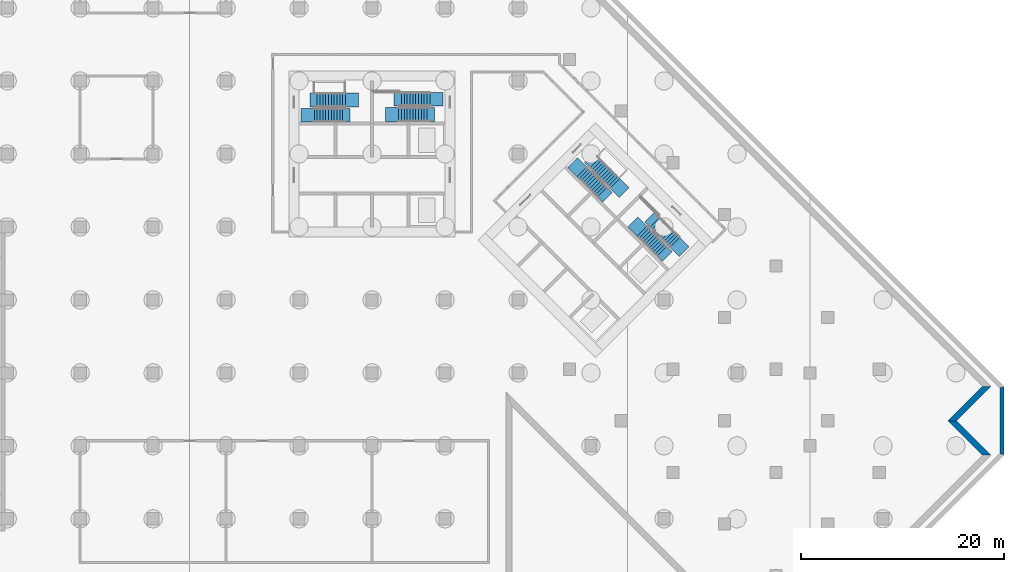
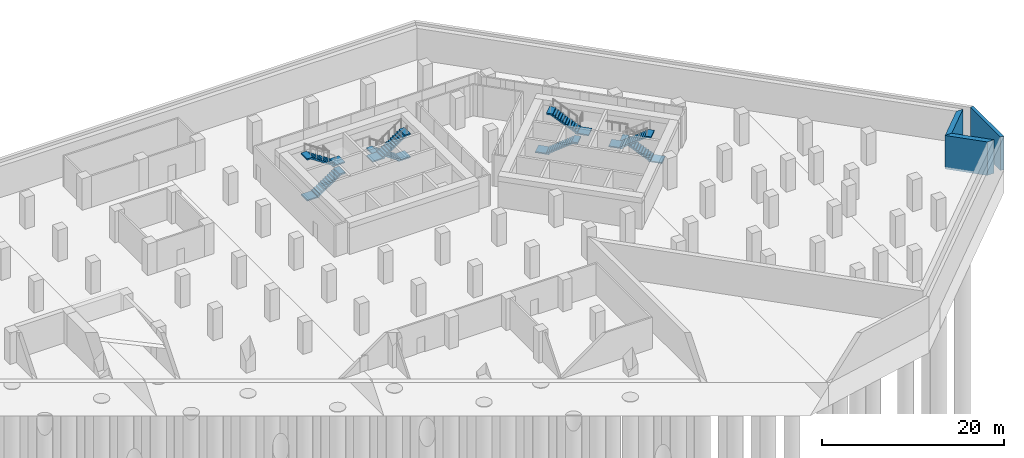
# One storey, part 10 of 12: 8 stair flights, 3 walls, 4 elements without a shape of their own.
"""IFC4 building model written with IfcOpenShell, lengths in metres."""

import ifcopenshell
import ifcopenshell.guid

model = None  # the IFC model being written
_history = None  # IfcOwnerHistory: only IFC2X3 demands one
_inside = {}  # id of a spatial element -> (the spatial element, [elements in it])
_under = {}  # id of a project, library or spatial element -> (it, [spatial elements below it])
_declared = {}  # id of a project -> (the project, [libraries it declares])
_typed = {}  # id of a type object -> (the type object, [elements of that type])
_made_of = {}  # id of a material, layer set ... -> (it, [elements and type objects made of it])


def new_model(schema):
    """Start an empty IFC model of exactly this schema.

    Asked for "IFC4X3", IfcOpenShell would pick the latest addendum, in which some entities
    have other attributes; the version numbers below select the first issue.
    IFC2X3 requires an IfcOwnerHistory on every rooted entity: one is made here for all.
    """
    global model, _history
    if schema == "IFC4X3":
        model = ifcopenshell.file(schema_version=(4, 3, 0, 0))
    else:
        model = ifcopenshell.file(schema=schema)
    _inside.clear()
    _under.clear()
    _declared.clear()
    _typed.clear()
    _made_of.clear()
    _history = None
    if model.schema == "IFC2X3":
        org = make("IfcOrganization", Name="unknown")
        user = make(
            "IfcPersonAndOrganization",
            ThePerson=make("IfcPerson", FamilyName="unknown"),
            TheOrganization=org,
        )
        app = make(
            "IfcApplication",
            ApplicationDeveloper=org,
            Version="unknown",
            ApplicationFullName="unknown",
            ApplicationIdentifier="unknown",
        )
        _history = make(
            "IfcOwnerHistory",
            OwningUser=user,
            OwningApplication=app,
            ChangeAction="ADDED",
            CreationDate=0,
        )
    return model


def make(cls, **values):
    """One entity of the class cls with the attributes given. An attribute that is None is left unset."""
    return model.create_entity(
        cls, **{name: value for name, value in values.items() if value is not None}
    )


def rooted(cls, **values):
    """An entity with a GlobalId (a new one), such as an element, a storey or a relation."""
    return make(cls, GlobalId=ifcopenshell.guid.new(), OwnerHistory=_history, **values)


def si_unit(unit_type, name, prefix=None):
    """IfcSIUnit, for example si_unit("LENGTHUNIT", "METRE", prefix="MILLI")."""
    return make("IfcSIUnit", UnitType=unit_type, Prefix=prefix, Name=name)


def assignment(units):
    """IfcUnitAssignment: the units of a project."""
    return None if units is None else make("IfcUnitAssignment", Units=units)


def point(xyz):
    """IfcCartesianPoint."""
    return None if xyz is None else make("IfcCartesianPoint", Coordinates=xyz)


def direction(xyz):
    """IfcDirection."""
    return None if xyz is None else make("IfcDirection", DirectionRatios=xyz)


def frame(location, z_axis=None, x_axis=None):
    """IfcAxis2Placement3D, a coordinate frame: its origin and axes. An axis left out is left unset."""
    return make(
        "IfcAxis2Placement3D",
        Location=point(location),
        Axis=direction(z_axis),
        RefDirection=direction(x_axis),
    )


def origin():
    """The frame at (0, 0, 0) with its axes left unset."""
    return frame((0.0, 0.0, 0.0))


def place(relative_to, where):
    """IfcLocalPlacement: puts the frame where relative to a parent placement (None: the world)."""
    return make(
        "IfcLocalPlacement", PlacementRelTo=relative_to, RelativePlacement=where
    )


def context(
    kind, dimensions, precision=None, world=None, true_north=None, identifier=None
):
    """IfcGeometricRepresentationContext, for example the 3D "Model" context."""
    return make(
        "IfcGeometricRepresentationContext",
        ContextIdentifier=identifier,
        ContextType=kind,
        CoordinateSpaceDimension=dimensions,
        Precision=precision,
        WorldCoordinateSystem=world,
        TrueNorth=true_north,
    )


def subcontext(parent, identifier, kind, view, scale=None):
    """IfcGeometricRepresentationSubContext, for example "Body" below "Model"."""
    return make(
        "IfcGeometricRepresentationSubContext",
        ContextIdentifier=identifier,
        ContextType=kind,
        ParentContext=parent,
        TargetScale=scale,
        TargetView=view,
    )


def project(units=None, contexts=None):
    """IfcProject with its units and contexts."""
    return rooted(
        "IfcProject",
        Name="project",
        RepresentationContexts=contexts,
        UnitsInContext=assignment(units),
    )


def spatial(cls, under=None, at=None, **own):
    """A site, building, storey or space (cls), placed at a placement, below another one or the project."""
    s = rooted(cls, ObjectPlacement=at, **own)
    if under is not None:
        _under.setdefault(under.id(), (under, []))[1].append(s)
    return s


def polyline(points):
    """IfcPolyline through the points."""
    return make("IfcPolyline", Points=[point(p) for p in points])


def outline(outer, holes=None, kind="AREA"):
    """IfcArbitraryClosedProfileDef: a profile drawn as a closed curve; with holes, ...WithVoids."""
    if holes is None:
        return make("IfcArbitraryClosedProfileDef", ProfileType=kind, OuterCurve=outer)
    return make(
        "IfcArbitraryProfileDefWithVoids",
        ProfileType=kind,
        OuterCurve=outer,
        InnerCurves=holes,
    )


def extrude(swept, where, along, depth):
    """IfcExtrudedAreaSolid: the profile swept, set in the frame where, extruded along a direction by depth."""
    return make(
        "IfcExtrudedAreaSolid",
        SweptArea=swept,
        Position=where,
        ExtrudedDirection=direction(along),
        Depth=depth,
    )


def shape(context_of_items, identifier, shape_type, items):
    """IfcShapeRepresentation: the items that make up one representation, for example the "Body"."""
    return make(
        "IfcShapeRepresentation",
        ContextOfItems=context_of_items,
        RepresentationIdentifier=identifier,
        RepresentationType=shape_type,
        Items=items,
    )


def material(Name=None, Category=None):
    """IfcMaterial."""
    return make("IfcMaterial", Name=Name, Category=Category)


def layer(
    of_material, thickness, ventilated=None, Name=None, Category=None, Priority=None
):
    """IfcMaterialLayer: one layer of a wall or slab, of a material (None: an air gap)."""
    return make(
        "IfcMaterialLayer",
        Material=of_material,
        LayerThickness=thickness,
        IsVentilated=ventilated,
        Name=Name,
        Category=Category,
        Priority=Priority,
    )


def layer_set(layers, Name=None):
    """IfcMaterialLayerSet."""
    return make("IfcMaterialLayerSet", MaterialLayers=layers, LayerSetName=Name)


def made_of(thing, what):
    """Note that an element or type object is made of a material, layer set ...; save() writes the relation."""
    if what is not None:
        _made_of.setdefault(what.id(), (what, []))[1].append(thing)
    return thing


def type_object(cls, material=None, **own):
    """A type object (cls), such as IfcWallType, which elements share."""
    return made_of(rooted(cls, **own), material)


def element(
    cls,
    number,
    at=None,
    inside=None,
    cuts=None,
    type_object=None,
    material=None,
    context=None,
    identifier="Body",
    shape_type=None,
    held_by="IfcProductDefinitionShape",
    body=None,
    shapes=None,
    **own,
):
    """One element of the class cls, such as IfcWall. Its Tag is "e" and its number.

    at: its placement. inside: the storey or other place that contains it. cuts: it is an
    opening in that element (IfcRelVoidsElement). A single representation is given by context,
    identifier, shape_type and body (its items); several are given by shapes. held_by: the class
    of the entity that holds the representations. save() writes the other relations.
    """
    e = rooted(cls, Tag="e%d" % number, ObjectPlacement=at, **own)
    if body is not None:
        shapes = [shape(context, identifier, shape_type, body)]
    if shapes is not None:
        e.Representation = make(held_by, Representations=shapes)
    if inside is not None:
        _inside.setdefault(inside.id(), (inside, []))[1].append(e)
    if cuts is not None:
        rooted(
            "IfcRelVoidsElement", RelatingBuildingElement=cuts, RelatedOpeningElement=e
        )
    if type_object is not None:
        _typed.setdefault(type_object.id(), (type_object, []))[1].append(e)
    return made_of(e, material)


def aggregate(whole, parts):
    """IfcRelAggregates: a whole, such as a stair, and the parts it consists of."""
    return rooted("IfcRelAggregates", RelatingObject=whole, RelatedObjects=parts)


def save(model, path):
    """Write the relations noted so far, then the file.

    IfcRelAggregates (storeys below a building ...), IfcRelContainedInSpatialStructure (elements
    in a storey), IfcRelDefinesByType, IfcRelAssociatesMaterial and IfcRelDeclares: one each for
    every whole, place, type object, material and project.
    """
    for whole, parts in _under.values():
        aggregate(whole, parts)
    for where, things in _inside.values():
        rooted(
            "IfcRelContainedInSpatialStructure",
            RelatedElements=things,
            RelatingStructure=where,
        )
    for kind, things in _typed.values():
        rooted("IfcRelDefinesByType", RelatedObjects=things, RelatingType=kind)
    for what, things in _made_of.values():
        rooted("IfcRelAssociatesMaterial", RelatedObjects=things, RelatingMaterial=what)
    for by, libraries in _declared.values():
        rooted("IfcRelDeclares", RelatingContext=by, RelatedDefinitions=libraries)
    model.write(path)


model = new_model("IFC4")

# Units and contexts
model_context = context("Model", 3, precision=1e-05, world=origin(), true_north=direction((0.0, 1.0)))
body_context = subcontext(model_context, "Body", "Model", "MODEL_VIEW")
ifc_project = project(units=[si_unit("LENGTHUNIT", "METRE"), si_unit("AREAUNIT", "SQUARE_METRE"), si_unit("VOLUMEUNIT", "CUBIC_METRE"), si_unit("PLANEANGLEUNIT", "RADIAN"), si_unit("MASSUNIT", "GRAM", prefix="KILO")], contexts=[model_context])

# Site, building, storey
site_placement = place(None, origin())
site = spatial("IfcSite", under=ifc_project, at=site_placement, CompositionType="ELEMENT")
building_placement = place(site_placement, origin())
building = spatial("IfcBuilding", under=site, at=building_placement, Name="Windrow Commons", CompositionType="ELEMENT")
storey_placement = place(building_placement, frame((0.0, 0.0, -9.0)))
storey = spatial("IfcBuildingStorey", under=building, at=storey_placement, Name="B2", CompositionType="ELEMENT", Elevation=-9.0)

# Walls
ifc_material_1 = material(Name="Concrete C40/50", Category="concrete")
ifc_layer_1 = layer(ifc_material_1, 0.4)
ifc_layer_set_1 = layer_set([ifc_layer_1], Name="RC RETAINING WALL 400 C40/50")
wall_type_1 = type_object("IfcWallType", Name="RC RETAINING WALL 400 C40/50", PredefinedType="SOLIDWALL", material=ifc_layer_set_1)
wall_1_placement = place(storey_placement, frame((126.9418, 34.5819, -0.3), z_axis=(0.0, 0.0, 1.0), x_axis=(0.0, -1.0, 0.0)))
element("IfcWall", 1, at=wall_1_placement, inside=storey, type_object=wall_type_1, Name="Retaining wall raft edge B2-007", PredefinedType="SOLIDWALL", context=body_context, shape_type="SweptSolid", body=[
    extrude(outline(polyline([(0.0414, -0.2), (6.5811, -0.2), (6.664, 0.2), (-0.0414, 0.2), (0.0414, -0.2)])), origin(), (0.0, 0.0, 1.0), 4.5),
])
ifc_material_2 = material(Name="Concrete C40/50", Category="concrete")
ifc_layer_2 = layer(ifc_material_2, 0.6)
ifc_layer_set_2 = layer_set([ifc_layer_2], Name="RC RETAINING WALL 600 C40/50")
wall_type_2 = type_object("IfcWallType", Name="RC RETAINING WALL 600 C40/50", PredefinedType="SOLIDWALL", material=ifc_layer_set_2)
placement_1 = place(storey_placement, frame((0.0, 0.0, -0.3)))
element("IfcWall", 2, at=placement_1, inside=storey, type_object=wall_type_2, Name="Retaining wall B2-07", PredefinedType="SOLIDWALL", context=body_context, shape_type="SweptSolid", body=[
    extrude(outline(polyline([(125.0205, 27.8765), (121.6264, 31.2706), (122.4749, 31.2706), (125.869, 27.8765), (125.0205, 27.8765)])), origin(), (0.0, 0.0, 1.0), 4.5),
])
element("IfcWall", 3, at=placement_1, inside=storey, type_object=wall_type_2, Name="Retaining wall B2-08", PredefinedType="SOLIDWALL", context=body_context, shape_type="SweptSolid", body=[
    extrude(outline(polyline([(121.6264, 31.2706), (125.0205, 34.6648), (125.869, 34.6648), (122.4749, 31.2706), (121.6264, 31.2706)])), origin(), (0.0, 0.0, 1.0), 4.5),
])

# Stair, stair flights
ifc_material_3 = material(Name="Concrete C40/50", Category="concrete")
stair_type = type_object("IfcStairType", Name="Core stair", PredefinedType="HALF_TURN_STAIR", material=ifc_material_3)
placement_2 = place(storey_placement, origin())
stair_1 = element("IfcStair", 4, at=placement_2, inside=storey, type_object=stair_type, Name="B2 Exit stair A1 core A", PredefinedType="HALF_TURN_STAIR")
ifc_material_4 = material(Name="Concrete C40/50", Category="concrete")
stair_flight_type = type_object("IfcStairFlightType", Name="Core stair flight", PredefinedType="STRAIGHT", material=ifc_material_4)
stair_flight_1_placement = place(storey_placement, frame((59.1, 61.425, 0.0), z_axis=(0.0, 0.0, 1.0), x_axis=(1.0, 0.0, 0.0)))
stair_flight_1 = element("IfcStairFlight", 5, at=stair_flight_1_placement, type_object=stair_flight_type, Name="ST-A1 flight 1", NumberOfRisers=12, NumberOfTreads=11, PredefinedType="STRAIGHT", RiserHeight=0.1875, TreadLength=0.28, context=body_context, shape_type="SweptSolid", body=[
    extrude(outline(polyline([(-1.3, -0.15), (-1.3, 0.0), (0.0, 0.0), (0.0, 0.1875), (0.28, 0.1875), (0.28, 0.375), (0.56, 0.375), (0.56, 0.5625), (0.84, 0.5625), (0.84, 0.75), (1.12, 0.75), (1.12, 0.9375), (1.4, 0.9375), (1.4, 1.125), (1.68, 1.125), (1.68, 1.3125), (1.96, 1.3125), (1.96, 1.5), (2.24, 1.5), (2.24, 1.6875), (2.52, 1.6875), (2.52, 1.875), (2.8, 1.875), (2.8, 2.0625), (3.08, 2.0625), (3.53, 2.0625), (3.53, 1.8625), (3.08, 1.8625), (3.08, 1.882), (0.2696, 0.0), (0.2696, -0.15), (-1.3, -0.15)])), frame((0.0, 0.675, 0.0), z_axis=(0.0, -1.0, 0.0), x_axis=(1.0, 0.0, 0.0)), (0.0, 0.0, 1.0), 1.35),
])
stair_flight_2_placement = place(storey_placement, frame((62.18, 62.925, 2.25), z_axis=(0.0, 0.0, 1.0), x_axis=(-1.0, 0.0, 0.0)))
stair_flight_2 = element("IfcStairFlight", 6, at=stair_flight_2_placement, type_object=stair_flight_type, Name="ST-A1 flight 2", NumberOfRisers=12, NumberOfTreads=11, PredefinedType="STRAIGHT", RiserHeight=0.1875, TreadLength=0.28, context=body_context, shape_type="SweptSolid", body=[
    extrude(outline(polyline([(-1.3, -0.15), (-1.3, 0.0), (0.0, 0.0), (0.0, 0.1875), (0.28, 0.1875), (0.28, 0.375), (0.56, 0.375), (0.56, 0.5625), (0.84, 0.5625), (0.84, 0.75), (1.12, 0.75), (1.12, 0.9375), (1.4, 0.9375), (1.4, 1.125), (1.68, 1.125), (1.68, 1.3125), (1.96, 1.3125), (1.96, 1.5), (2.24, 1.5), (2.24, 1.6875), (2.52, 1.6875), (2.52, 1.875), (2.8, 1.875), (2.8, 2.0625), (3.08, 2.0625), (3.53, 2.0625), (3.53, 1.8625), (3.08, 1.8625), (3.08, 1.882), (0.2696, 0.0), (0.2696, -0.15), (-1.3, -0.15)])), frame((0.0, 0.675, 0.0), z_axis=(0.0, -1.0, 0.0), x_axis=(1.0, 0.0, 0.0)), (0.0, 0.0, 1.0), 1.35),
])
aggregate(stair_1, [stair_flight_1, stair_flight_2])

stair_2 = element("IfcStair", 7, at=placement_2, inside=storey, type_object=stair_type, Name="B2 Exit stair A2 core A", PredefinedType="HALF_TURN_STAIR")
stair_flight_3_placement = place(storey_placement, frame((70.5, 62.98, 0.0), z_axis=(0.0, 0.0, 1.0), x_axis=(-1.0, 0.0, 0.0)))
stair_flight_3 = element("IfcStairFlight", 8, at=stair_flight_3_placement, type_object=stair_flight_type, Name="ST-A2 flight 1", NumberOfRisers=12, NumberOfTreads=11, PredefinedType="STRAIGHT", RiserHeight=0.1875, TreadLength=0.28, context=body_context, shape_type="SweptSolid", body=[
    extrude(outline(polyline([(-1.3, -0.15), (-1.3, 0.0), (0.0, 0.0), (0.0, 0.1875), (0.28, 0.1875), (0.28, 0.375), (0.56, 0.375), (0.56, 0.5625), (0.84, 0.5625), (0.84, 0.75), (1.12, 0.75), (1.12, 0.9375), (1.4, 0.9375), (1.4, 1.125), (1.68, 1.125), (1.68, 1.3125), (1.96, 1.3125), (1.96, 1.5), (2.24, 1.5), (2.24, 1.6875), (2.52, 1.6875), (2.52, 1.875), (2.8, 1.875), (2.8, 2.0625), (3.08, 2.0625), (3.53, 2.0625), (3.53, 1.8625), (3.08, 1.8625), (3.08, 1.882), (0.2696, 0.0), (0.2696, -0.15), (-1.3, -0.15)])), frame((0.0, 0.675, 0.0), z_axis=(0.0, -1.0, 0.0), x_axis=(1.0, 0.0, 0.0)), (0.0, 0.0, 1.0), 1.35),
])
stair_flight_4_placement = place(storey_placement, frame((67.42, 61.48, 2.25), z_axis=(0.0, 0.0, 1.0), x_axis=(1.0, 0.0, 0.0)))
stair_flight_4 = element("IfcStairFlight", 9, at=stair_flight_4_placement, type_object=stair_flight_type, Name="ST-A2 flight 2", NumberOfRisers=12, NumberOfTreads=11, PredefinedType="STRAIGHT", RiserHeight=0.1875, TreadLength=0.28, context=body_context, shape_type="SweptSolid", body=[
    extrude(outline(polyline([(-1.3, -0.15), (-1.3, 0.0), (0.0, 0.0), (0.0, 0.1875), (0.28, 0.1875), (0.28, 0.375), (0.56, 0.375), (0.56, 0.5625), (0.84, 0.5625), (0.84, 0.75), (1.12, 0.75), (1.12, 0.9375), (1.4, 0.9375), (1.4, 1.125), (1.68, 1.125), (1.68, 1.3125), (1.96, 1.3125), (1.96, 1.5), (2.24, 1.5), (2.24, 1.6875), (2.52, 1.6875), (2.52, 1.875), (2.8, 1.875), (2.8, 2.0625), (3.08, 2.0625), (3.53, 2.0625), (3.53, 1.8625), (3.08, 1.8625), (3.08, 1.882), (0.2696, 0.0), (0.2696, -0.15), (-1.3, -0.15)])), frame((0.0, 0.675, 0.0), z_axis=(0.0, -1.0, 0.0), x_axis=(1.0, 0.0, 0.0)), (0.0, 0.0, 1.0), 1.35),
])
aggregate(stair_2, [stair_flight_3, stair_flight_4])

stair_3 = element("IfcStair", 10, at=placement_2, inside=storey, type_object=stair_type, Name="B2 Exit stair B1 core B", PredefinedType="HALF_TURN_STAIR")
stair_flight_5_placement = place(storey_placement, frame((85.5109, 55.8249, 0.0), z_axis=(0.0, 0.0, 1.0), x_axis=(0.7071067812, -0.7071067812, 0.0)))
stair_flight_5 = element("IfcStairFlight", 11, at=stair_flight_5_placement, type_object=stair_flight_type, Name="ST-B1 flight 1", NumberOfRisers=12, NumberOfTreads=11, PredefinedType="STRAIGHT", RiserHeight=0.1875, TreadLength=0.28, context=body_context, shape_type="SweptSolid", body=[
    extrude(outline(polyline([(-1.3, -0.15), (-1.3, 0.0), (0.0, 0.0), (0.0, 0.1875), (0.28, 0.1875), (0.28, 0.375), (0.56, 0.375), (0.56, 0.5625), (0.84, 0.5625), (0.84, 0.75), (1.12, 0.75), (1.12, 0.9375), (1.4, 0.9375), (1.4, 1.125), (1.68, 1.125), (1.68, 1.3125), (1.96, 1.3125), (1.96, 1.5), (2.24, 1.5), (2.24, 1.6875), (2.52, 1.6875), (2.52, 1.875), (2.8, 1.875), (2.8, 2.0625), (3.08, 2.0625), (3.53, 2.0625), (3.53, 1.8625), (3.08, 1.8625), (3.08, 1.882), (0.2696, 0.0), (0.2696, -0.15), (-1.3, -0.15)])), frame((0.0, 0.675, 0.0), z_axis=(0.0, -1.0, 0.0), x_axis=(1.0, 0.0, 0.0)), (0.0, 0.0, 1.0), 1.35),
])
stair_flight_6_placement = place(storey_placement, frame((88.7495, 54.7077, 2.25), z_axis=(0.0, 0.0, 1.0), x_axis=(-0.7071067812, 0.7071067812, 0.0)))
stair_flight_6 = element("IfcStairFlight", 12, at=stair_flight_6_placement, type_object=stair_flight_type, Name="ST-B1 flight 2", NumberOfRisers=12, NumberOfTreads=11, PredefinedType="STRAIGHT", RiserHeight=0.1875, TreadLength=0.28, context=body_context, shape_type="SweptSolid", body=[
    extrude(outline(polyline([(-1.3, -0.15), (-1.3, 0.0), (0.0, 0.0), (0.0, 0.1875), (0.28, 0.1875), (0.28, 0.375), (0.56, 0.375), (0.56, 0.5625), (0.84, 0.5625), (0.84, 0.75), (1.12, 0.75), (1.12, 0.9375), (1.4, 0.9375), (1.4, 1.125), (1.68, 1.125), (1.68, 1.3125), (1.96, 1.3125), (1.96, 1.5), (2.24, 1.5), (2.24, 1.6875), (2.52, 1.6875), (2.52, 1.875), (2.8, 1.875), (2.8, 2.0625), (3.08, 2.0625), (3.53, 2.0625), (3.53, 1.8625), (3.08, 1.8625), (3.08, 1.882), (0.2696, 0.0), (0.2696, -0.15), (-1.3, -0.15)])), frame((0.0, 0.675, 0.0), z_axis=(0.0, -1.0, 0.0), x_axis=(1.0, 0.0, 0.0)), (0.0, 0.0, 1.0), 1.35),
])
aggregate(stair_3, [stair_flight_5, stair_flight_6])

stair_4 = element("IfcStair", 13, at=placement_2, inside=storey, type_object=stair_type, Name="B2 Exit stair B2 core B", PredefinedType="HALF_TURN_STAIR")
stair_flight_7_placement = place(storey_placement, frame((94.6715, 48.8635, 0.0), z_axis=(0.0, 0.0, 1.0), x_axis=(-0.7071067812, 0.7071067812, 0.0)))
stair_flight_7 = element("IfcStairFlight", 14, at=stair_flight_7_placement, type_object=stair_flight_type, Name="ST-B2 flight 1", NumberOfRisers=12, NumberOfTreads=11, PredefinedType="STRAIGHT", RiserHeight=0.1875, TreadLength=0.28, context=body_context, shape_type="SweptSolid", body=[
    extrude(outline(polyline([(-1.3, -0.15), (-1.3, 0.0), (0.0, 0.0), (0.0, 0.1875), (0.28, 0.1875), (0.28, 0.375), (0.56, 0.375), (0.56, 0.5625), (0.84, 0.5625), (0.84, 0.75), (1.12, 0.75), (1.12, 0.9375), (1.4, 0.9375), (1.4, 1.125), (1.68, 1.125), (1.68, 1.3125), (1.96, 1.3125), (1.96, 1.5), (2.24, 1.5), (2.24, 1.6875), (2.52, 1.6875), (2.52, 1.875), (2.8, 1.875), (2.8, 2.0625), (3.08, 2.0625), (3.53, 2.0625), (3.53, 1.8625), (3.08, 1.8625), (3.08, 1.882), (0.2696, 0.0), (0.2696, -0.15), (-1.3, -0.15)])), frame((0.0, 0.675, 0.0), z_axis=(0.0, -1.0, 0.0), x_axis=(1.0, 0.0, 0.0)), (0.0, 0.0, 1.0), 1.35),
])
stair_flight_8_placement = place(storey_placement, frame((91.4329, 49.9807, 2.25), z_axis=(0.0, 0.0, 1.0), x_axis=(0.7071067812, -0.7071067812, 0.0)))
stair_flight_8 = element("IfcStairFlight", 15, at=stair_flight_8_placement, type_object=stair_flight_type, Name="ST-B2 flight 2", NumberOfRisers=12, NumberOfTreads=11, PredefinedType="STRAIGHT", RiserHeight=0.1875, TreadLength=0.28, context=body_context, shape_type="SweptSolid", body=[
    extrude(outline(polyline([(-1.3, -0.15), (-1.3, 0.0), (0.0, 0.0), (0.0, 0.1875), (0.28, 0.1875), (0.28, 0.375), (0.56, 0.375), (0.56, 0.5625), (0.84, 0.5625), (0.84, 0.75), (1.12, 0.75), (1.12, 0.9375), (1.4, 0.9375), (1.4, 1.125), (1.68, 1.125), (1.68, 1.3125), (1.96, 1.3125), (1.96, 1.5), (2.24, 1.5), (2.24, 1.6875), (2.52, 1.6875), (2.52, 1.875), (2.8, 1.875), (2.8, 2.0625), (3.08, 2.0625), (3.53, 2.0625), (3.53, 1.8625), (3.08, 1.8625), (3.08, 1.882), (0.2696, 0.0), (0.2696, -0.15), (-1.3, -0.15)])), frame((0.0, 0.675, 0.0), z_axis=(0.0, -1.0, 0.0), x_axis=(1.0, 0.0, 0.0)), (0.0, 0.0, 1.0), 1.35),
])
aggregate(stair_4, [stair_flight_7, stair_flight_8])

save(model, "model.ifc")
